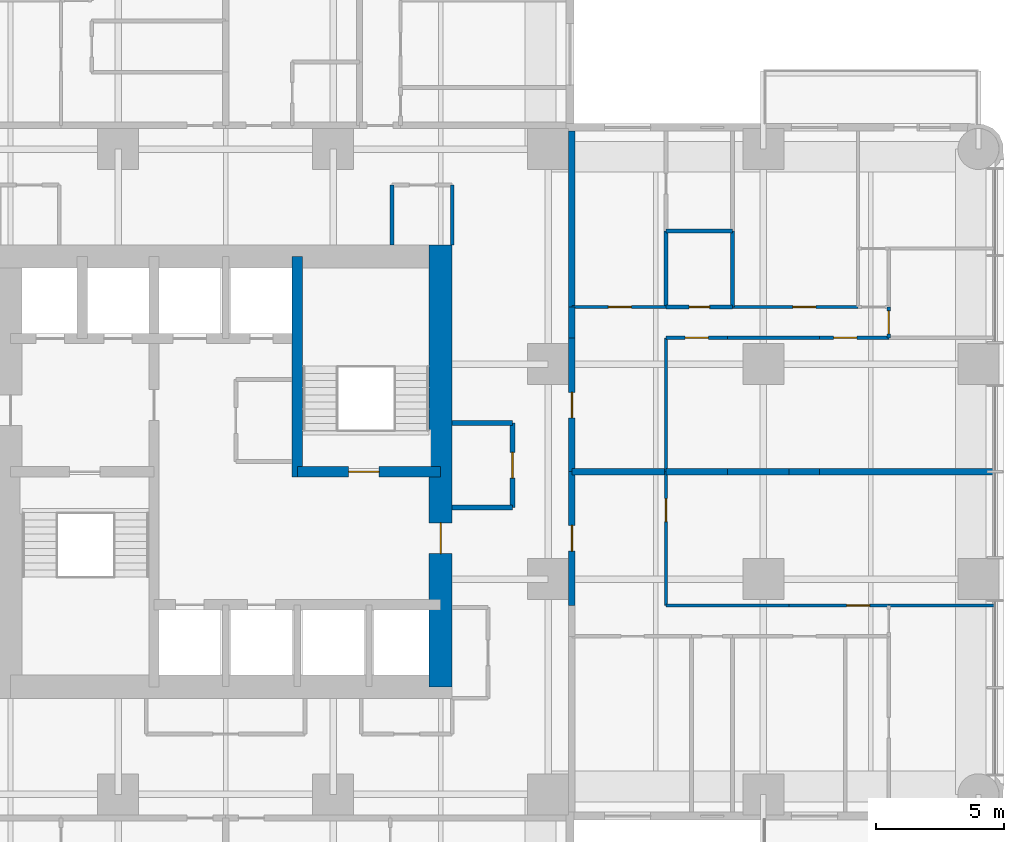
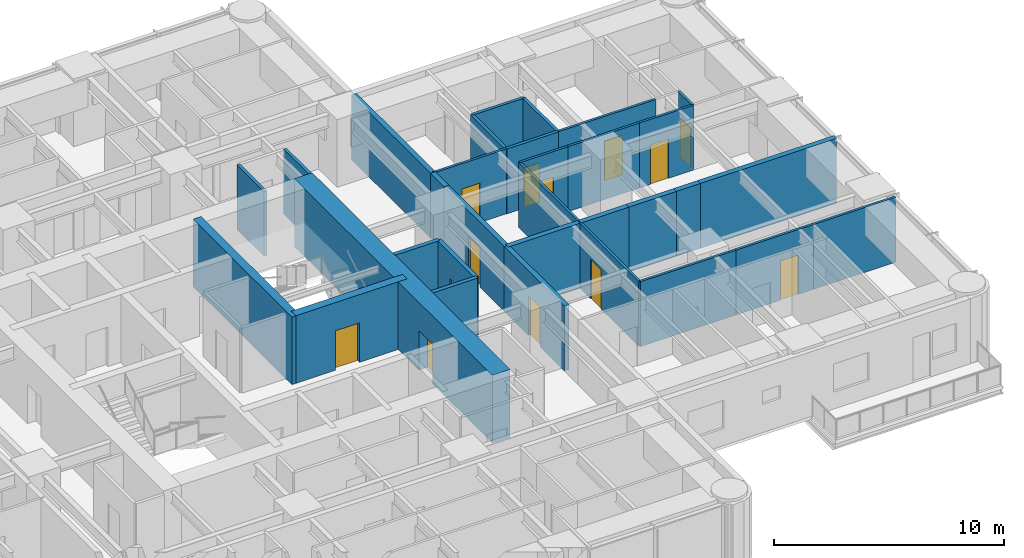
# One storey, part 10 of 15: 32 walls, 13 doors, 13 openings.
"""IFC4 building model written with IfcOpenShell, lengths in metres."""

import ifcopenshell
import ifcopenshell.guid

model = None  # the IFC model being written
_history = None  # IfcOwnerHistory: only IFC2X3 demands one
_inside = {}  # id of a spatial element -> (the spatial element, [elements in it])
_under = {}  # id of a project, library or spatial element -> (it, [spatial elements below it])
_declared = {}  # id of a project -> (the project, [libraries it declares])
_typed = {}  # id of a type object -> (the type object, [elements of that type])
_made_of = {}  # id of a material, layer set ... -> (it, [elements and type objects made of it])


def new_model(schema):
    """Start an empty IFC model of exactly this schema.

    Asked for "IFC4X3", IfcOpenShell would pick the latest addendum, in which some entities
    have other attributes; the version numbers below select the first issue.
    IFC2X3 requires an IfcOwnerHistory on every rooted entity: one is made here for all.
    """
    global model, _history
    if schema == "IFC4X3":
        model = ifcopenshell.file(schema_version=(4, 3, 0, 0))
    else:
        model = ifcopenshell.file(schema=schema)
    _inside.clear()
    _under.clear()
    _declared.clear()
    _typed.clear()
    _made_of.clear()
    _history = None
    if model.schema == "IFC2X3":
        org = make("IfcOrganization", Name="unknown")
        user = make(
            "IfcPersonAndOrganization",
            ThePerson=make("IfcPerson", FamilyName="unknown"),
            TheOrganization=org,
        )
        app = make(
            "IfcApplication",
            ApplicationDeveloper=org,
            Version="unknown",
            ApplicationFullName="unknown",
            ApplicationIdentifier="unknown",
        )
        _history = make(
            "IfcOwnerHistory",
            OwningUser=user,
            OwningApplication=app,
            ChangeAction="ADDED",
            CreationDate=0,
        )
    return model


def make(cls, **values):
    """One entity of the class cls with the attributes given. An attribute that is None is left unset."""
    return model.create_entity(
        cls, **{name: value for name, value in values.items() if value is not None}
    )


def rooted(cls, **values):
    """An entity with a GlobalId (a new one), such as an element, a storey or a relation."""
    return make(cls, GlobalId=ifcopenshell.guid.new(), OwnerHistory=_history, **values)


def si_unit(unit_type, name, prefix=None):
    """IfcSIUnit, for example si_unit("LENGTHUNIT", "METRE", prefix="MILLI")."""
    return make("IfcSIUnit", UnitType=unit_type, Prefix=prefix, Name=name)


def assignment(units):
    """IfcUnitAssignment: the units of a project."""
    return None if units is None else make("IfcUnitAssignment", Units=units)


def point(xyz):
    """IfcCartesianPoint."""
    return None if xyz is None else make("IfcCartesianPoint", Coordinates=xyz)


def direction(xyz):
    """IfcDirection."""
    return None if xyz is None else make("IfcDirection", DirectionRatios=xyz)


def frame(location, z_axis=None, x_axis=None):
    """IfcAxis2Placement3D, a coordinate frame: its origin and axes. An axis left out is left unset."""
    return make(
        "IfcAxis2Placement3D",
        Location=point(location),
        Axis=direction(z_axis),
        RefDirection=direction(x_axis),
    )


def frame_2d(location, x_axis=None):
    """IfcAxis2Placement2D, a coordinate frame in the plane: its origin and x axis."""
    return make(
        "IfcAxis2Placement2D", Location=point(location), RefDirection=direction(x_axis)
    )


def origin():
    """The frame at (0, 0, 0) with its axes left unset."""
    return frame((0.0, 0.0, 0.0))


def place(relative_to, where):
    """IfcLocalPlacement: puts the frame where relative to a parent placement (None: the world)."""
    return make(
        "IfcLocalPlacement", PlacementRelTo=relative_to, RelativePlacement=where
    )


def context(
    kind, dimensions, precision=None, world=None, true_north=None, identifier=None
):
    """IfcGeometricRepresentationContext, for example the 3D "Model" context."""
    return make(
        "IfcGeometricRepresentationContext",
        ContextIdentifier=identifier,
        ContextType=kind,
        CoordinateSpaceDimension=dimensions,
        Precision=precision,
        WorldCoordinateSystem=world,
        TrueNorth=true_north,
    )


def subcontext(parent, identifier, kind, view, scale=None):
    """IfcGeometricRepresentationSubContext, for example "Body" below "Model"."""
    return make(
        "IfcGeometricRepresentationSubContext",
        ContextIdentifier=identifier,
        ContextType=kind,
        ParentContext=parent,
        TargetScale=scale,
        TargetView=view,
    )


def project(units=None, contexts=None):
    """IfcProject with its units and contexts."""
    return rooted(
        "IfcProject",
        Name="project",
        RepresentationContexts=contexts,
        UnitsInContext=assignment(units),
    )


def spatial(cls, under=None, at=None, **own):
    """A site, building, storey or space (cls), placed at a placement, below another one or the project."""
    s = rooted(cls, ObjectPlacement=at, **own)
    if under is not None:
        _under.setdefault(under.id(), (under, []))[1].append(s)
    return s


def profile(cls, at=None, kind="AREA", **sizes):
    """A parametric profile (cls). Its sizes go by their IFC names, for example OverallWidth=200.0."""
    return make(cls, ProfileType=kind, Position=at, **sizes)


def rectangle(**sizes):
    """IfcRectangleProfileDef."""
    return profile("IfcRectangleProfileDef", **sizes)


def extrude(swept, where, along, depth):
    """IfcExtrudedAreaSolid: the profile swept, set in the frame where, extruded along a direction by depth."""
    return make(
        "IfcExtrudedAreaSolid",
        SweptArea=swept,
        Position=where,
        ExtrudedDirection=direction(along),
        Depth=depth,
    )


def shape(context_of_items, identifier, shape_type, items):
    """IfcShapeRepresentation: the items that make up one representation, for example the "Body"."""
    return make(
        "IfcShapeRepresentation",
        ContextOfItems=context_of_items,
        RepresentationIdentifier=identifier,
        RepresentationType=shape_type,
        Items=items,
    )


def material(Name=None, Category=None):
    """IfcMaterial."""
    return make("IfcMaterial", Name=Name, Category=Category)


def layer(
    of_material, thickness, ventilated=None, Name=None, Category=None, Priority=None
):
    """IfcMaterialLayer: one layer of a wall or slab, of a material (None: an air gap)."""
    return make(
        "IfcMaterialLayer",
        Material=of_material,
        LayerThickness=thickness,
        IsVentilated=ventilated,
        Name=Name,
        Category=Category,
        Priority=Priority,
    )


def layer_set(layers, Name=None):
    """IfcMaterialLayerSet."""
    return make("IfcMaterialLayerSet", MaterialLayers=layers, LayerSetName=Name)


def made_of(thing, what):
    """Note that an element or type object is made of a material, layer set ...; save() writes the relation."""
    if what is not None:
        _made_of.setdefault(what.id(), (what, []))[1].append(thing)
    return thing


def type_object(cls, material=None, **own):
    """A type object (cls), such as IfcWallType, which elements share."""
    return made_of(rooted(cls, **own), material)


def element(
    cls,
    number,
    at=None,
    inside=None,
    cuts=None,
    type_object=None,
    material=None,
    context=None,
    identifier="Body",
    shape_type=None,
    held_by="IfcProductDefinitionShape",
    body=None,
    shapes=None,
    **own,
):
    """One element of the class cls, such as IfcWall. Its Tag is "e" and its number.

    at: its placement. inside: the storey or other place that contains it. cuts: it is an
    opening in that element (IfcRelVoidsElement). A single representation is given by context,
    identifier, shape_type and body (its items); several are given by shapes. held_by: the class
    of the entity that holds the representations. save() writes the other relations.
    """
    e = rooted(cls, Tag="e%d" % number, ObjectPlacement=at, **own)
    if body is not None:
        shapes = [shape(context, identifier, shape_type, body)]
    if shapes is not None:
        e.Representation = make(held_by, Representations=shapes)
    if inside is not None:
        _inside.setdefault(inside.id(), (inside, []))[1].append(e)
    if cuts is not None:
        rooted(
            "IfcRelVoidsElement", RelatingBuildingElement=cuts, RelatedOpeningElement=e
        )
    if type_object is not None:
        _typed.setdefault(type_object.id(), (type_object, []))[1].append(e)
    return made_of(e, material)


def fill(opening, filler):
    """IfcRelFillsElement: the door or window that sits in an opening."""
    return rooted(
        "IfcRelFillsElement",
        RelatingOpeningElement=opening,
        RelatedBuildingElement=filler,
    )


def aggregate(whole, parts):
    """IfcRelAggregates: a whole, such as a stair, and the parts it consists of."""
    return rooted("IfcRelAggregates", RelatingObject=whole, RelatedObjects=parts)


def save(model, path):
    """Write the relations noted so far, then the file.

    IfcRelAggregates (storeys below a building ...), IfcRelContainedInSpatialStructure (elements
    in a storey), IfcRelDefinesByType, IfcRelAssociatesMaterial and IfcRelDeclares: one each for
    every whole, place, type object, material and project.
    """
    for whole, parts in _under.values():
        aggregate(whole, parts)
    for where, things in _inside.values():
        rooted(
            "IfcRelContainedInSpatialStructure",
            RelatedElements=things,
            RelatingStructure=where,
        )
    for kind, things in _typed.values():
        rooted("IfcRelDefinesByType", RelatedObjects=things, RelatingType=kind)
    for what, things in _made_of.values():
        rooted("IfcRelAssociatesMaterial", RelatedObjects=things, RelatingMaterial=what)
    for by, libraries in _declared.values():
        rooted("IfcRelDeclares", RelatingContext=by, RelatedDefinitions=libraries)
    model.write(path)


model = new_model("IFC4")

# Units and contexts
model_context = context("Model", 3, precision=1e-05, world=origin(), true_north=direction((0.0, 1.0)))
body_context = subcontext(model_context, "Body", "Model", "MODEL_VIEW")
ifc_project = project(units=[si_unit("LENGTHUNIT", "METRE"), si_unit("AREAUNIT", "SQUARE_METRE"), si_unit("VOLUMEUNIT", "CUBIC_METRE"), si_unit("PLANEANGLEUNIT", "RADIAN"), si_unit("MASSUNIT", "GRAM", prefix="KILO")], contexts=[model_context])

# Site, building, storey
site_placement = place(None, origin())
site = spatial("IfcSite", under=ifc_project, at=site_placement, CompositionType="ELEMENT")
building_placement = place(site_placement, origin())
building = spatial("IfcBuilding", under=site, at=building_placement, Name="Torre Alcanfor", CompositionType="ELEMENT")
storey_placement = place(building_placement, frame((0.0, 0.0, 144.89990234375)))
storey = spatial("IfcBuildingStorey", under=building, at=storey_placement, Name="L37", CompositionType="ELEMENT", Elevation=144.89990234375)

# Wall, opening, door
ifc_material_1 = material(Name="Concrete block masonry, hollow blocks NMX-C-404 9 MPa", Category="masonry")
ifc_layer_1 = layer(ifc_material_1, 0.25)
ifc_layer_set_1 = layer_set([ifc_layer_1], Name="Apartment entrance wall 250 EI 60")
wall_type_1 = type_object("IfcWallType", Name="Apartment entrance wall 250 EI 60", PredefinedType="PARTITIONING", material=ifc_layer_set_1)
wall_1_placement = place(storey_placement, frame((42.925048828125, 34.62890625, 0.0), z_axis=(0.0, 0.0, 1.0), x_axis=(0.0, -1.0, 0.0)))
wall_1 = element("IfcWall", 1, at=wall_1_placement, inside=storey, type_object=wall_type_1, Name="Partition L37-CORR / L37-E1-ZAG", PredefinedType="PARTITIONING", context=body_context, shape_type="SweptSolid", body=[
    extrude(rectangle(XDim=5.22900390625, YDim=0.25, at=frame_2d((2.614501953125, 0.0))), origin(), (0.0, 0.0, 1.0), 3.4501953125),
])
opening_1_placement = place(wall_1_placement, frame((2.12890625, 0.0, 0.0)))
opening_1 = element("IfcOpeningElement", 2, at=opening_1_placement, cuts=wall_1, Name="Opening D-A1", PredefinedType="OPENING", context=body_context, shape_type="SweptSolid", body=[
    extrude(rectangle(XDim=1.0, YDim=2.10009765625, at=frame_2d((0.5, 1.050048828125))), frame((0.0, 0.135009765625, 0.0), z_axis=(0.0, -1.0, 0.0), x_axis=(1.0, 0.0, 0.0)), (0.0, 0.0, 1.0), 0.27001953125),
])
ifc_material_2 = material(Name="Galvanised steel sheet ASTM A653", Category="steel")
door_type_1 = type_object("IfcDoorType", Name="Apartment entrance door FD60 1000x2100", OperationType="SINGLE_SWING_LEFT", PredefinedType="DOOR", material=ifc_material_2)
door_1_placement = place(opening_1_placement, origin())
door_1 = element("IfcDoor", 3, at=door_1_placement, inside=storey, type_object=door_type_1, Name="Apartment entrance L37-E1", OperationType="SINGLE_SWING_RIGHT", OverallHeight=2.10009765625, OverallWidth=1.0, PredefinedType="DOOR", context=body_context, shape_type="SweptSolid", body=[
    extrude(rectangle(XDim=1.0, YDim=2.10009765625, at=frame_2d((0.5, 1.050048828125))), frame((0.0, 0.02490234375, 0.0), z_axis=(0.0, -1.0, 0.0), x_axis=(1.0, 0.0, 0.0)), (0.0, 0.0, 1.0), 0.050048828125),
])
fill(opening_1, door_1)

# Walls
wall_2_placement = place(storey_placement, frame((42.925048828125, 35.8291015625, 0.0), z_axis=(0.0, 0.0, 1.0), x_axis=(0.0, -1.0, 0.0)))
element("IfcWall", 4, at=wall_2_placement, inside=storey, type_object=wall_type_1, Name="Partition L37-CORR / L37-E1-HALL", PredefinedType="PARTITIONING", context=body_context, shape_type="SweptSolid", body=[
    extrude(rectangle(XDim=1.2001953125, YDim=0.25, at=frame_2d((0.60009765625, 0.0))), origin(), (0.0, 0.0, 1.0), 3.4501953125),
])
wall_3_placement = place(storey_placement, frame((42.925048828125, 42.699951171875, 0.0), z_axis=(0.0, 0.0, 1.0), x_axis=(0.0, -1.0, 0.0)))
element("IfcWall", 5, at=wall_3_placement, inside=storey, type_object=wall_type_1, Name="Partition L37-CORR / L37-E1-SERV", PredefinedType="PARTITIONING", context=body_context, shape_type="SweptSolid", body=[
    extrude(rectangle(XDim=6.870849609375, YDim=0.25, at=frame_2d((3.435546875, 0.0))), origin(), (0.0, 0.0, 1.0), 3.4501953125),
])

# Wall, opening, door
wall_4_placement = place(storey_placement, frame((42.925048828125, 29.39990234375, 0.0), z_axis=(0.0, 0.0, 1.0), x_axis=(0.0, -1.0, 0.0)))
wall_4 = element("IfcWall", 6, at=wall_4_placement, inside=storey, type_object=wall_type_1, Name="Partition L37-CORR / L37-E2-ZAG", PredefinedType="PARTITIONING", context=body_context, shape_type="SweptSolid", body=[
    extrude(rectangle(XDim=5.22900390625, YDim=0.25, at=frame_2d((2.614501953125, 0.0))), origin(), (0.0, 0.0, 1.0), 3.4501953125),
])
opening_2_placement = place(wall_4_placement, frame((2.10009765625, 0.0, 0.0)))
opening_2 = element("IfcOpeningElement", 7, at=opening_2_placement, cuts=wall_4, Name="Opening D-A1", PredefinedType="OPENING", context=body_context, shape_type="SweptSolid", body=[
    extrude(rectangle(XDim=1.0, YDim=2.10009765625, at=frame_2d((0.5, 1.050048828125))), frame((0.0, 0.135009765625, 0.0), z_axis=(0.0, -1.0, 0.0), x_axis=(1.0, 0.0, 0.0)), (0.0, 0.0, 1.0), 0.27001953125),
])
door_2_placement = place(opening_2_placement, origin())
door_2 = element("IfcDoor", 8, at=door_2_placement, inside=storey, type_object=door_type_1, Name="Apartment entrance L37-E2", OperationType="SINGLE_SWING_LEFT", OverallHeight=2.10009765625, OverallWidth=1.0, PredefinedType="DOOR", context=body_context, shape_type="SweptSolid", body=[
    extrude(rectangle(XDim=1.0, YDim=2.10009765625, at=frame_2d((0.5, 1.050048828125))), frame((0.0, 0.02490234375, 0.0), z_axis=(0.0, -1.0, 0.0), x_axis=(1.0, 0.0, 0.0)), (0.0, 0.0, 1.0), 0.050048828125),
])
fill(opening_2, door_2)

# Wall
ifc_material_3 = material(Name="Gypsum board on steel studs", Category="steel")
ifc_layer_2 = layer(ifc_material_3, 0.1201171875)
ifc_layer_set_2 = layer_set([ifc_layer_2], Name="Apartment partition 120")
wall_type_2 = type_object("IfcWallType", Name="Apartment partition 120", PredefinedType="PARTITIONING", material=ifc_layer_set_2)
wall_5_placement = place(storey_placement, frame((46.60009765625, 29.39990234375, 0.0), z_axis=(0.0, 0.0, 1.0), x_axis=(0.0, 1.0, 0.0)))
element("IfcWall", 9, at=wall_5_placement, inside=storey, type_object=wall_type_2, Name="Partition L37-E1-ZAG / L37-E1-LAUND", PredefinedType="PARTITIONING", context=body_context, shape_type="SweptSolid", body=[
    extrude(rectangle(XDim=5.22900390625, YDim=0.1201171875, at=frame_2d((2.614501953125, 0.0))), origin(), (0.0, 0.0, 1.0), 3.4501953125),
])

# Wall, opening, door
wall_6_placement = place(storey_placement, frame((49.0, 34.62890625, 0.0), z_axis=(0.0, 0.0, 1.0), x_axis=(-1.0, 0.0, 0.0)))
wall_6 = element("IfcWall", 10, at=wall_6_placement, inside=storey, type_object=wall_type_2, Name="Partition L37-E1-LAUND / L37-E1-HALL", PredefinedType="PARTITIONING", context=body_context, shape_type="SweptSolid", body=[
    extrude(rectangle(XDim=2.39990234375, YDim=0.1201171875, at=frame_2d((1.199951171875, 0.0))), origin(), (0.0, 0.0, 1.0), 3.4501953125),
])
opening_3_placement = place(wall_6_placement, frame((0.75, 0.0, 0.0)))
opening_3 = element("IfcOpeningElement", 11, at=opening_3_placement, cuts=wall_6, Name="Opening D-R1", PredefinedType="OPENING", context=body_context, shape_type="SweptSolid", body=[
    extrude(rectangle(XDim=0.89990234375, YDim=2.10009765625, at=frame_2d((0.449951171875, 1.050048828125))), frame((0.0, 0.070068359375, 0.0), z_axis=(0.0, -1.0, 0.0), x_axis=(1.0, 0.0, 0.0)), (0.0, 0.0, 1.0), 0.14013671875),
])
ifc_material_4 = material(Name="Timber", Category="wood")
door_type_2 = type_object("IfcDoorType", Name="Internal door 900x2100", OperationType="SINGLE_SWING_LEFT", PredefinedType="DOOR", material=ifc_material_4)
door_3_placement = place(opening_3_placement, origin())
door_3 = element("IfcDoor", 12, at=door_3_placement, inside=storey, type_object=door_type_2, Name="Door L37-E1 laund", OperationType="SINGLE_SWING_LEFT", OverallHeight=2.10009765625, OverallWidth=0.89990234375, PredefinedType="DOOR", context=body_context, shape_type="SweptSolid", body=[
    extrude(rectangle(XDim=0.89990234375, YDim=2.10009765625, at=frame_2d((0.449951171875, 1.050048828125))), frame((0.0, 0.02490234375, 0.0), z_axis=(0.0, -1.0, 0.0), x_axis=(1.0, 0.0, 0.0)), (0.0, 0.0, 1.0), 0.050048828125),
])
fill(opening_3, door_3)

# Wall
wall_7_placement = place(storey_placement, frame((52.60009765625, 34.62890625, 0.0), z_axis=(0.0, 0.0, 1.0), x_axis=(-1.0, 0.0, 0.0)))
element("IfcWall", 13, at=wall_7_placement, inside=storey, type_object=wall_type_2, Name="Partition L37-E1-KITCHEN / L37-E1-HALL", PredefinedType="PARTITIONING", context=body_context, shape_type="SweptSolid", body=[
    extrude(rectangle(XDim=3.60009765625, YDim=0.1201171875, at=frame_2d((1.800048828125, 0.0))), origin(), (0.0, 0.0, 1.0), 3.4501953125),
])

# Wall, opening, door
wall_8_placement = place(storey_placement, frame((55.300048828125, 34.62890625, 0.0), z_axis=(0.0, 0.0, 1.0), x_axis=(-1.0, 0.0, 0.0)))
wall_8 = element("IfcWall", 14, at=wall_8_placement, inside=storey, type_object=wall_type_2, Name="Partition L37-E1-LIVING / L37-E1-HALL", PredefinedType="PARTITIONING", context=body_context, shape_type="SweptSolid", body=[
    extrude(rectangle(XDim=2.699951171875, YDim=0.1201171875, at=frame_2d((1.35009765625, 0.0))), origin(), (0.0, 0.0, 1.0), 3.4501953125),
])
opening_4_placement = place(wall_8_placement, frame((1.25, 0.0, 0.0)))
opening_4 = element("IfcOpeningElement", 15, at=opening_4_placement, cuts=wall_8, Name="Opening D-R1", PredefinedType="OPENING", context=body_context, shape_type="SweptSolid", body=[
    extrude(rectangle(XDim=0.89990234375, YDim=2.10009765625, at=frame_2d((0.449951171875, 1.050048828125))), frame((0.0, 0.070068359375, 0.0), z_axis=(0.0, -1.0, 0.0), x_axis=(1.0, 0.0, 0.0)), (0.0, 0.0, 1.0), 0.14013671875),
])
door_4_placement = place(opening_4_placement, origin())
door_4 = element("IfcDoor", 16, at=door_4_placement, inside=storey, type_object=door_type_2, Name="Door L37-E1 living", OperationType="SINGLE_SWING_RIGHT", OverallHeight=2.10009765625, OverallWidth=0.89990234375, PredefinedType="DOOR", context=body_context, shape_type="SweptSolid", body=[
    extrude(rectangle(XDim=0.89990234375, YDim=2.10009765625, at=frame_2d((0.449951171875, 1.050048828125))), frame((0.0, 0.02490234375, 0.0), z_axis=(0.0, -1.0, 0.0), x_axis=(1.0, 0.0, 0.0)), (0.0, 0.0, 1.0), 0.050048828125),
])
fill(opening_4, door_4)

wall_9_placement = place(storey_placement, frame((46.60009765625, 35.8291015625, 0.0), z_axis=(0.0, 0.0, 1.0), x_axis=(-1.0, 0.0, 0.0)))
wall_9 = element("IfcWall", 17, at=wall_9_placement, inside=storey, type_object=wall_type_2, Name="Partition L37-E1-HALL / L37-E1-SERV", PredefinedType="PARTITIONING", context=body_context, shape_type="SweptSolid", body=[
    extrude(rectangle(XDim=3.675048828125, YDim=0.1201171875, at=frame_2d((1.83740234375, 0.0))), origin(), (0.0, 0.0, 1.0), 3.4501953125),
])
opening_5_placement = place(wall_9_placement, frame((1.35009765625, 0.0, 0.0)))
opening_5 = element("IfcOpeningElement", 18, at=opening_5_placement, cuts=wall_9, Name="Opening D-R1", PredefinedType="OPENING", context=body_context, shape_type="SweptSolid", body=[
    extrude(rectangle(XDim=0.89990234375, YDim=2.10009765625, at=frame_2d((0.449951171875, 1.050048828125))), frame((0.0, 0.070068359375, 0.0), z_axis=(0.0, -1.0, 0.0), x_axis=(1.0, 0.0, 0.0)), (0.0, 0.0, 1.0), 0.14013671875),
])
door_5_placement = place(opening_5_placement, frame((0.89990234375, 0.0, 0.0), z_axis=(0.0, 0.0, 1.0), x_axis=(-1.0, 0.0, 0.0)))
door_5 = element("IfcDoor", 19, at=door_5_placement, inside=storey, type_object=door_type_2, Name="Door L37-E1 serv", OperationType="SINGLE_SWING_RIGHT", OverallHeight=2.10009765625, OverallWidth=0.89990234375, PredefinedType="DOOR", context=body_context, shape_type="SweptSolid", body=[
    extrude(rectangle(XDim=0.89990234375, YDim=2.10009765625, at=frame_2d((0.449951171875, 1.050048828125))), frame((0.0, 0.025146484375, 0.0), z_axis=(0.0, -1.0, 0.0), x_axis=(1.0, 0.0, 0.0)), (0.0, 0.0, 1.0), 0.050048828125),
])
fill(opening_5, door_5)

wall_10_placement = place(storey_placement, frame((54.10009765625, 35.8291015625, 0.0), z_axis=(0.0, 0.0, 1.0), x_axis=(-1.0, 0.0, 0.0)))
wall_10 = element("IfcWall", 20, at=wall_10_placement, inside=storey, type_object=wall_type_2, Name="Partition L37-E1-HALL / L37-E1-BED3", PredefinedType="PARTITIONING", context=body_context, shape_type="SweptSolid", body=[
    extrude(rectangle(XDim=4.900146484375, YDim=0.1201171875, at=frame_2d((2.4501953125, 0.0))), origin(), (0.0, 0.0, 1.0), 3.4501953125),
])
opening_6_placement = place(wall_10_placement, frame((1.64990234375, 0.0, 0.0)))
opening_6 = element("IfcOpeningElement", 21, at=opening_6_placement, cuts=wall_10, Name="Opening D-R1", PredefinedType="OPENING", context=body_context, shape_type="SweptSolid", body=[
    extrude(rectangle(XDim=0.89990234375, YDim=2.10009765625, at=frame_2d((0.449951171875, 1.050048828125))), frame((0.0, 0.070068359375, 0.0), z_axis=(0.0, -1.0, 0.0), x_axis=(1.0, 0.0, 0.0)), (0.0, 0.0, 1.0), 0.14013671875),
])
door_6_placement = place(opening_6_placement, frame((0.89990234375, 0.0, 0.0), z_axis=(0.0, 0.0, 1.0), x_axis=(-1.0, 0.0, 0.0)))
door_6 = element("IfcDoor", 22, at=door_6_placement, inside=storey, type_object=door_type_2, Name="Door L37-E1 bed3", OperationType="SINGLE_SWING_RIGHT", OverallHeight=2.10009765625, OverallWidth=0.89990234375, PredefinedType="DOOR", context=body_context, shape_type="SweptSolid", body=[
    extrude(rectangle(XDim=0.89990234375, YDim=2.10009765625, at=frame_2d((0.449951171875, 1.050048828125))), frame((0.0, 0.025146484375, 0.0), z_axis=(0.0, -1.0, 0.0), x_axis=(1.0, 0.0, 0.0)), (0.0, 0.0, 1.0), 0.050048828125),
])
fill(opening_6, door_6)

wall_11_placement = place(storey_placement, frame((55.300048828125, 34.62890625, 0.0), z_axis=(0.0, 0.0, 1.0), x_axis=(0.0, 1.0, 0.0)))
wall_11 = element("IfcWall", 23, at=wall_11_placement, inside=storey, type_object=wall_type_2, Name="Partition L37-E1-HALL / L37-E1-BED2", PredefinedType="PARTITIONING", context=body_context, shape_type="SweptSolid", body=[
    extrude(rectangle(XDim=1.2001953125, YDim=0.1201171875, at=frame_2d((0.60009765625, 0.0))), origin(), (0.0, 0.0, 1.0), 3.4501953125),
])
opening_7_placement = place(wall_11_placement, frame((0.15087890625, 0.0, 0.0)))
opening_7 = element("IfcOpeningElement", 24, at=opening_7_placement, cuts=wall_11, Name="Opening D-R1", PredefinedType="OPENING", context=body_context, shape_type="SweptSolid", body=[
    extrude(rectangle(XDim=0.89990234375, YDim=2.10009765625, at=frame_2d((0.449951171875, 1.050048828125))), frame((0.0, 0.070068359375, 0.0), z_axis=(0.0, -1.0, 0.0), x_axis=(1.0, 0.0, 0.0)), (0.0, 0.0, 1.0), 0.14013671875),
])
door_7_placement = place(opening_7_placement, frame((0.89990234375, 0.0, 0.0), z_axis=(0.0, 0.0, 1.0), x_axis=(-1.0, 0.0, 0.0)))
door_7 = element("IfcDoor", 25, at=door_7_placement, inside=storey, type_object=door_type_2, Name="Door L37-E1 bed2", OperationType="SINGLE_SWING_RIGHT", OverallHeight=2.10009765625, OverallWidth=0.89990234375, PredefinedType="DOOR", context=body_context, shape_type="SweptSolid", body=[
    extrude(rectangle(XDim=0.89990234375, YDim=2.10009765625, at=frame_2d((0.449951171875, 1.050048828125))), frame((0.0, 0.025146484375, 0.0), z_axis=(0.0, -1.0, 0.0), x_axis=(1.0, 0.0, 0.0)), (0.0, 0.0, 1.0), 0.050048828125),
])
fill(opening_7, door_7)

wall_12_placement = place(storey_placement, frame((46.60009765625, 29.39990234375, 0.0), z_axis=(0.0, 0.0, 1.0), x_axis=(0.0, -1.0, 0.0)))
wall_12 = element("IfcWall", 26, at=wall_12_placement, inside=storey, type_object=wall_type_2, Name="Partition L37-E2-ZAG / L37-E2-KITCHEN", PredefinedType="PARTITIONING", context=body_context, shape_type="SweptSolid", body=[
    extrude(rectangle(XDim=5.22900390625, YDim=0.1201171875, at=frame_2d((2.614501953125, 0.0))), origin(), (0.0, 0.0, 1.0), 3.4501953125),
])
opening_8_placement = place(wall_12_placement, frame((1.050048828125, 0.0, 0.0)))
opening_8 = element("IfcOpeningElement", 27, at=opening_8_placement, cuts=wall_12, Name="Opening D-R1", PredefinedType="OPENING", context=body_context, shape_type="SweptSolid", body=[
    extrude(rectangle(XDim=0.89990234375, YDim=2.10009765625, at=frame_2d((0.449951171875, 1.050048828125))), frame((0.0, 0.070068359375, 0.0), z_axis=(0.0, -1.0, 0.0), x_axis=(1.0, 0.0, 0.0)), (0.0, 0.0, 1.0), 0.14013671875),
])
door_8_placement = place(opening_8_placement, origin())
door_8 = element("IfcDoor", 28, at=door_8_placement, inside=storey, type_object=door_type_2, Name="Door L37-E2 kitchen", OperationType="SINGLE_SWING_LEFT", OverallHeight=2.10009765625, OverallWidth=0.89990234375, PredefinedType="DOOR", context=body_context, shape_type="SweptSolid", body=[
    extrude(rectangle(XDim=0.89990234375, YDim=2.10009765625, at=frame_2d((0.449951171875, 1.050048828125))), frame((0.0, 0.02490234375, 0.0), z_axis=(0.0, -1.0, 0.0), x_axis=(1.0, 0.0, 0.0)), (0.0, 0.0, 1.0), 0.050048828125),
])
fill(opening_8, door_8)

# Wall
wall_13_placement = place(storey_placement, frame((51.39990234375, 24.1708984375, 0.0), z_axis=(0.0, 0.0, 1.0), x_axis=(-1.0, 0.0, 0.0)))
element("IfcWall", 29, at=wall_13_placement, inside=storey, type_object=wall_type_2, Name="Partition L37-E2-KITCHEN / L37-E2-HALL", PredefinedType="PARTITIONING", context=body_context, shape_type="SweptSolid", body=[
    extrude(rectangle(XDim=4.7998046875, YDim=0.1201171875, at=frame_2d((2.39990234375, 0.0))), origin(), (0.0, 0.0, 1.0), 3.4501953125),
])

# Wall, opening, door
wall_14_placement = place(storey_placement, frame((55.300048828125, 24.1708984375, 0.0), z_axis=(0.0, 0.0, 1.0), x_axis=(-1.0, 0.0, 0.0)))
wall_14 = element("IfcWall", 30, at=wall_14_placement, inside=storey, type_object=wall_type_2, Name="Partition L37-E2-LIVING / L37-E2-HALL", PredefinedType="PARTITIONING", context=body_context, shape_type="SweptSolid", body=[
    extrude(rectangle(XDim=3.900146484375, YDim=0.1201171875, at=frame_2d((1.9501953125, 0.0))), origin(), (0.0, 0.0, 1.0), 3.4501953125),
])
opening_9_placement = place(wall_14_placement, frame((0.75, 0.0, 0.0)))
opening_9 = element("IfcOpeningElement", 31, at=opening_9_placement, cuts=wall_14, Name="Opening D-R1", PredefinedType="OPENING", context=body_context, shape_type="SweptSolid", body=[
    extrude(rectangle(XDim=0.89990234375, YDim=2.10009765625, at=frame_2d((0.449951171875, 1.050048828125))), frame((0.0, 0.070068359375, 0.0), z_axis=(0.0, -1.0, 0.0), x_axis=(1.0, 0.0, 0.0)), (0.0, 0.0, 1.0), 0.14013671875),
])
door_9_placement = place(opening_9_placement, frame((0.89990234375, 0.0, 0.0), z_axis=(0.0, 0.0, 1.0), x_axis=(-1.0, 0.0, 0.0)))
door_9 = element("IfcDoor", 32, at=door_9_placement, inside=storey, type_object=door_type_2, Name="Door L37-E2 living", OperationType="SINGLE_SWING_LEFT", OverallHeight=2.10009765625, OverallWidth=0.89990234375, PredefinedType="DOOR", context=body_context, shape_type="SweptSolid", body=[
    extrude(rectangle(XDim=0.89990234375, YDim=2.10009765625, at=frame_2d((0.449951171875, 1.050048828125))), frame((0.0, 0.025146484375, 0.0), z_axis=(0.0, -1.0, 0.0), x_axis=(1.0, 0.0, 0.0)), (0.0, 0.0, 1.0), 0.050048828125),
])
fill(opening_9, door_9)

# Walls
wall_15_placement = place(storey_placement, frame((59.449951171875, 24.1708984375, 0.0), z_axis=(0.0, 0.0, 1.0), x_axis=(-1.0, 0.0, 0.0)))
element("IfcWall", 33, at=wall_15_placement, inside=storey, type_object=wall_type_2, Name="Partition L37-E2-LIVING / L37-E2-MASTER", PredefinedType="PARTITIONING", context=body_context, shape_type="SweptSolid", body=[
    extrude(rectangle(XDim=4.14990234375, YDim=0.1201171875, at=frame_2d((2.074951171875, 0.0))), origin(), (0.0, 0.0, 1.0), 3.4501953125),
])
ifc_material_5 = material(Name="Concrete f'c 70 MPa", Category="concrete")
ifc_layer_3 = layer(ifc_material_5, 0.39990234375)
ifc_layer_set_3 = layer_set([ifc_layer_3], Name="Core inner wall 400 f'c70")
wall_type_3 = type_object("IfcWallType", Name="Core inner wall 400 f'c70", PredefinedType="SHEAR", material=ifc_layer_set_3)
wall_16_placement = place(storey_placement, frame((32.199951171875, 29.199951171875, 0.0), z_axis=(0.0, 0.0, 1.0), x_axis=(0.0, 1.0, 0.0)))
element("IfcWall", 34, at=wall_16_placement, inside=storey, type_object=wall_type_3, Name="Core wall X322N L37", PredefinedType="SHEAR", context=body_context, shape_type="SweptSolid", body=[
    extrude(rectangle(XDim=8.60009765625, YDim=0.39990234375, at=frame_2d((4.300048828125, 0.0))), origin(), (0.0, 0.0, 1.0), 3.60009765625),
])

# Wall, opening, door
wall_17_placement = place(storey_placement, frame((32.199951171875, 29.39990234375, 0.0), z_axis=(0.0, 0.0, 1.0), x_axis=(1.0, 0.0, 0.0)))
wall_17 = element("IfcWall", 35, at=wall_17_placement, inside=storey, type_object=wall_type_3, Name="Core wall Y294E L37", PredefinedType="SHEAR", context=body_context, shape_type="SweptSolid", body=[
    extrude(rectangle(XDim=5.60009765625, YDim=0.39990234375, at=frame_2d((2.800048828125, 0.0))), origin(), (0.0, 0.0, 1.0), 3.60009765625),
])
opening_10_placement = place(wall_17_placement, frame((2.0, 0.0, 0.0)))
opening_10 = element("IfcOpeningElement", 36, at=opening_10_placement, cuts=wall_17, Name="Opening D-S2", PredefinedType="OPENING", context=body_context, shape_type="SweptSolid", body=[
    extrude(rectangle(XDim=1.199951171875, YDim=2.10009765625, at=frame_2d((0.60009765625, 1.050048828125))), frame((0.0, 0.2099609375, 0.0), z_axis=(0.0, -1.0, 0.0), x_axis=(1.0, 0.0, 0.0)), (0.0, 0.0, 1.0), 0.419921875),
])
ifc_material_6 = material(Name="Galvanised steel sheet ASTM A653", Category="steel")
door_type_3 = type_object("IfcDoorType", Name="Stair enclosure door FD120 1200x2100", OperationType="SINGLE_SWING_LEFT", PredefinedType="DOOR", material=ifc_material_6)
door_10_placement = place(opening_10_placement, origin())
door_10 = element("IfcDoor", 37, at=door_10_placement, inside=storey, type_object=door_type_3, Name="Stair S2 door L37", OperationType="SINGLE_SWING_LEFT", OverallHeight=2.10009765625, OverallWidth=1.199951171875, PredefinedType="DOOR", context=body_context, shape_type="SweptSolid", body=[
    extrude(rectangle(XDim=1.199951171875, YDim=2.10009765625, at=frame_2d((0.60009765625, 1.050048828125))), frame((0.0, 0.02490234375, 0.0), z_axis=(0.0, -1.0, 0.0), x_axis=(1.0, 0.0, 0.0)), (0.0, 0.0, 1.0), 0.050048828125),
])
fill(opening_10, door_10)

ifc_material_7 = material(Name="Concrete f'c 70 MPa", Category="concrete")
ifc_layer_4 = layer(ifc_material_7, 0.89990234375)
ifc_layer_set_4 = layer_set([ifc_layer_4], Name="Core wall 900 f'c70")
wall_type_4 = type_object("IfcWallType", Name="Core wall 900 f'c70", PredefinedType="SHEAR", material=ifc_layer_set_4)
wall_18_placement = place(storey_placement, frame((37.800048828125, 21.0, 0.0), z_axis=(0.0, 0.0, 1.0), x_axis=(0.0, 1.0, 0.0)))
wall_18 = element("IfcWall", 38, at=wall_18_placement, inside=storey, type_object=wall_type_4, Name="Core wall OUT-E L37", PredefinedType="SHEAR", context=body_context, shape_type="SweptSolid", body=[
    extrude(rectangle(XDim=17.25, YDim=0.89990234375, at=frame_2d((8.625, 0.0))), origin(), (0.0, 0.0, 1.0), 3.60009765625),
])
opening_11_placement = place(wall_18_placement, frame((5.199951171875, 0.0, 0.0)))
opening_11 = element("IfcOpeningElement", 39, at=opening_11_placement, cuts=wall_18, Name="Opening D-L1", PredefinedType="OPENING", context=body_context, shape_type="SweptSolid", body=[
    extrude(rectangle(XDim=1.199951171875, YDim=2.10009765625, at=frame_2d((0.60009765625, 1.050048828125))), frame((0.0, 0.4599609375, 0.0), z_axis=(0.0, -1.0, 0.0), x_axis=(1.0, 0.0, 0.0)), (0.0, 0.0, 1.0), 0.919921875),
])
ifc_material_8 = material(Name="Galvanised steel sheet ASTM A653", Category="steel")
door_type_4 = type_object("IfcDoorType", Name="Lobby door FD120 1200x2100", OperationType="SINGLE_SWING_LEFT", PredefinedType="DOOR", material=ifc_material_8)
door_11_placement = place(opening_11_placement, origin())
door_11 = element("IfcDoor", 40, at=door_11_placement, inside=storey, type_object=door_type_4, Name="Lift lobby entrance door L37", OperationType="SINGLE_SWING_LEFT", OverallHeight=2.10009765625, OverallWidth=1.199951171875, PredefinedType="DOOR", context=body_context, shape_type="SweptSolid", body=[
    extrude(rectangle(XDim=1.199951171875, YDim=2.10009765625, at=frame_2d((0.60009765625, 1.050048828125))), frame((0.0, 0.02490234375, 0.0), z_axis=(0.0, -1.0, 0.0), x_axis=(1.0, 0.0, 0.0)), (0.0, 0.0, 1.0), 0.050048828125),
])
fill(opening_11, door_11)

# Walls
ifc_material_9 = material(Name="Concrete block masonry, hollow blocks NMX-C-404 9 MPa", Category="masonry")
ifc_layer_5 = layer(ifc_material_9, 0.25)
ifc_layer_set_5 = layer_set([ifc_layer_5], Name="Party wall 250 EI 60")
wall_type_5 = type_object("IfcWallType", Name="Party wall 250 EI 60", PredefinedType="PARTITIONING", material=ifc_layer_set_5)
wall_19_placement = place(storey_placement, frame((42.925048828125, 29.39990234375, 0.0), z_axis=(0.0, 0.0, 1.0), x_axis=(1.0, 0.0, 0.0)))
element("IfcWall", 41, at=wall_19_placement, inside=storey, type_object=wall_type_5, Name="Partition L37-E1-ZAG / L37-E2-ZAG", PredefinedType="PARTITIONING", context=body_context, shape_type="SweptSolid", body=[
    extrude(rectangle(XDim=3.675048828125, YDim=0.25, at=frame_2d((1.83740234375, 0.0))), origin(), (0.0, 0.0, 1.0), 3.4501953125),
])
for number, where, z_axis, x_axis, name in (
    (42, (46.60009765625, 29.39990234375, 0.0), (0.0, 0.0, 1.0), (1.0, 0.0, 0.0), "Partition L37-E1-LAUND / L37-E2-KITCHEN"),
    (43, (49.0, 29.39990234375, 0.0), (0.0, 0.0, 1.0), (1.0, 0.0, 0.0), "Partition L37-E1-KITCHEN / L37-E2-KITCHEN"),
):
    element("IfcWall", number, at=place(storey_placement, frame(where, z_axis=z_axis, x_axis=x_axis)), inside=storey, type_object=wall_type_5, Name=name, PredefinedType="PARTITIONING", context=body_context, shape_type="SweptSolid", body=[
        extrude(rectangle(XDim=2.39990234375, YDim=0.25, at=frame_2d((1.199951171875, 0.0))), origin(), (0.0, 0.0, 1.0), 3.4501953125),
    ])
wall_20_placement = place(storey_placement, frame((51.39990234375, 29.39990234375, 0.0), z_axis=(0.0, 0.0, 1.0), x_axis=(1.0, 0.0, 0.0)))
element("IfcWall", 44, at=wall_20_placement, inside=storey, type_object=wall_type_5, Name="Partition L37-E1-KITCHEN / L37-E2-LIVING", PredefinedType="PARTITIONING", context=body_context, shape_type="SweptSolid", body=[
    extrude(rectangle(XDim=1.2001953125, YDim=0.25, at=frame_2d((0.60009765625, 0.0))), origin(), (0.0, 0.0, 1.0), 3.4501953125),
])
wall_21_placement = place(storey_placement, frame((52.60009765625, 29.39990234375, 0.0), z_axis=(0.0, 0.0, 1.0), x_axis=(1.0, 0.0, 0.0)))
element("IfcWall", 45, at=wall_21_placement, inside=storey, type_object=wall_type_5, Name="Partition L37-E1-LIVING / L37-E2-LIVING", PredefinedType="PARTITIONING", context=body_context, shape_type="SweptSolid", body=[
    extrude(rectangle(XDim=6.849853515625, YDim=0.25, at=frame_2d((3.4248046875, 0.0))), origin(), (0.0, 0.0, 1.0), 3.4501953125),
])
ifc_material_10 = material(Name="Concrete block masonry, hollow blocks NMX-C-404 9 MPa", Category="masonry")
ifc_layer_6 = layer(ifc_material_10, 0.199951171875)
ifc_layer_set_6 = layer_set([ifc_layer_6], Name="Plant room wall 200 EI 60")
wall_type_6 = type_object("IfcWallType", Name="Plant room wall 200 EI 60", PredefinedType="PARTITIONING", material=ifc_layer_set_6)
wall_22_placement = place(storey_placement, frame((38.25, 28.0, 0.0), z_axis=(0.0, 0.0, 1.0), x_axis=(1.0, 0.0, 0.0)))
element("IfcWall", 46, at=wall_22_placement, inside=storey, type_object=wall_type_6, Name="Partition L37-CORR / L37-G04", PredefinedType="PARTITIONING", context=body_context, shape_type="SweptSolid", body=[
    extrude(rectangle(XDim=2.35009765625, YDim=0.199951171875, at=frame_2d((1.175048828125, 0.0))), origin(), (0.0, 0.0, 1.0), 3.4501953125),
])

# Wall, opening, door
wall_23_placement = place(storey_placement, frame((40.60009765625, 28.0, 0.0), z_axis=(0.0, 0.0, 1.0), x_axis=(0.0, 1.0, 0.0)))
wall_23 = element("IfcWall", 47, at=wall_23_placement, inside=storey, type_object=wall_type_6, Name="Partition L37-CORR / L37-G04", PredefinedType="PARTITIONING", context=body_context, shape_type="SweptSolid", body=[
    extrude(rectangle(XDim=3.300048828125, YDim=0.199951171875, at=frame_2d((1.64990234375, 0.0))), origin(), (0.0, 0.0, 1.0), 3.4501953125),
])
opening_12_placement = place(wall_23_placement, frame((1.14990234375, 0.0, 0.0)))
opening_12 = element("IfcOpeningElement", 48, at=opening_12_placement, cuts=wall_23, Name="Opening D-K1", PredefinedType="OPENING", context=body_context, shape_type="SweptSolid", body=[
    extrude(rectangle(XDim=1.0, YDim=2.10009765625, at=frame_2d((0.5, 1.050048828125))), frame((0.0, 0.10986328125, 0.0), z_axis=(0.0, -1.0, 0.0), x_axis=(1.0, 0.0, 0.0)), (0.0, 0.0, 1.0), 0.219970703125),
])
ifc_material_11 = material(Name="Galvanised steel sheet ASTM A653", Category="steel")
door_type_5 = type_object("IfcDoorType", Name="Core room door FD60 1000x2100", OperationType="SINGLE_SWING_LEFT", PredefinedType="DOOR", material=ifc_material_11)
door_12_placement = place(opening_12_placement, origin())
door_12 = element("IfcDoor", 49, at=door_12_placement, inside=storey, type_object=door_type_5, Name="Door L37-G04 refuse and recycling store", OperationType="SINGLE_SWING_LEFT", OverallHeight=2.10009765625, OverallWidth=1.0, PredefinedType="DOOR", context=body_context, shape_type="SweptSolid", body=[
    extrude(rectangle(XDim=1.0, YDim=2.10009765625, at=frame_2d((0.5, 1.050048828125))), frame((0.0, 0.02490234375, 0.0), z_axis=(0.0, -1.0, 0.0), x_axis=(1.0, 0.0, 0.0)), (0.0, 0.0, 1.0), 0.050048828125),
])
fill(opening_12, door_12)

# Walls
wall_24_placement = place(storey_placement, frame((40.60009765625, 31.300048828125, 0.0), z_axis=(0.0, 0.0, 1.0), x_axis=(-1.0, 0.0, 0.0)))
element("IfcWall", 50, at=wall_24_placement, inside=storey, type_object=wall_type_6, Name="Partition L37-CORR / L37-G04", PredefinedType="PARTITIONING", context=body_context, shape_type="SweptSolid", body=[
    extrude(rectangle(XDim=2.35009765625, YDim=0.199951171875, at=frame_2d((1.175048828125, 0.0))), origin(), (0.0, 0.0, 1.0), 3.4501953125),
])
ifc_material_12 = material(Name="Concrete block masonry, hollow blocks NMX-C-404 9 MPa", Category="masonry")
ifc_layer_7 = layer(ifc_material_12, 0.14990234375)
ifc_layer_set_7 = layer_set([ifc_layer_7], Name="Residents' room partition 150")
wall_type_7 = type_object("IfcWallType", Name="Residents' room partition 150", PredefinedType="PARTITIONING", material=ifc_layer_set_7)
for number, where, z_axis, x_axis, name in (
    (51, (38.25, 38.25, 0.0), (0.0, 0.0, 1.0), (0.0, 1.0, 0.0), "Partition L37-CORR / L37-G02"),
    (52, (35.89990234375, 40.60009765625, 0.0), (0.0, 0.0, 1.0), (0.0, -1.0, 0.0), "Partition L37-CORR / L37-G02"),
):
    element("IfcWall", number, at=place(storey_placement, frame(where, z_axis=z_axis, x_axis=x_axis)), inside=storey, type_object=wall_type_7, Name=name, PredefinedType="PARTITIONING", context=body_context, shape_type="SweptSolid", body=[
        extrude(rectangle(XDim=2.35009765625, YDim=0.14990234375, at=frame_2d((1.175048828125, 0.0))), origin(), (0.0, 0.0, 1.0), 3.4501953125),
    ])

# Wall, opening, door
ifc_material_13 = material(Name="Cement board on steel studs", Category="steel")
ifc_layer_8 = layer(ifc_material_13, 0.14990234375)
ifc_layer_set_8 = layer_set([ifc_layer_8], Name="Wet area partition 150")
wall_type_8 = type_object("IfcWallType", Name="Wet area partition 150", PredefinedType="PARTITIONING", material=ifc_layer_set_8)
wall_25_placement = place(storey_placement, frame((49.199951171875, 35.8291015625, 0.0), z_axis=(0.0, 0.0, 1.0), x_axis=(-1.0, 0.0, 0.0)))
wall_25 = element("IfcWall", 53, at=wall_25_placement, inside=storey, type_object=wall_type_8, Name="Partition L37-E1-HALL / L37-E1-BATH1", PredefinedType="PARTITIONING", context=body_context, shape_type="SweptSolid", body=[
    extrude(rectangle(XDim=2.599853515625, YDim=0.14990234375, at=frame_2d((1.2998046875, 0.0))), origin(), (0.0, 0.0, 1.0), 3.4501953125),
])
opening_13_placement = place(wall_25_placement, frame((0.89990234375, 0.0, 0.0)))
opening_13 = element("IfcOpeningElement", 54, at=opening_13_placement, cuts=wall_25, Name="Opening D-R2", PredefinedType="OPENING", context=body_context, shape_type="SweptSolid", body=[
    extrude(rectangle(XDim=0.800048828125, YDim=2.10009765625, at=frame_2d((0.39990234375, 1.050048828125))), frame((0.0, 0.0849609375, 0.0), z_axis=(0.0, -1.0, 0.0), x_axis=(1.0, 0.0, 0.0)), (0.0, 0.0, 1.0), 0.169921875),
])
ifc_material_14 = material(Name="Timber", Category="wood")
door_type_6 = type_object("IfcDoorType", Name="Bathroom door 800x2100", OperationType="SINGLE_SWING_LEFT", PredefinedType="DOOR", material=ifc_material_14)
door_13_placement = place(opening_13_placement, frame((0.800048828125, 0.0, 0.0), z_axis=(0.0, 0.0, 1.0), x_axis=(-1.0, 0.0, 0.0)))
door_13 = element("IfcDoor", 55, at=door_13_placement, inside=storey, type_object=door_type_6, Name="Door L37-E1 bath1", OperationType="SINGLE_SWING_RIGHT", OverallHeight=2.10009765625, OverallWidth=0.800048828125, PredefinedType="DOOR", context=body_context, shape_type="SweptSolid", body=[
    extrude(rectangle(XDim=0.800048828125, YDim=2.10009765625, at=frame_2d((0.400146484375, 1.050048828125))), frame((0.0, 0.025146484375, 0.0), z_axis=(0.0, -1.0, 0.0), x_axis=(1.0, 0.0, 0.0)), (0.0, 0.0, 1.0), 0.050048828125),
])
fill(opening_13, door_13)

# Walls
wall_26_placement = place(storey_placement, frame((46.60009765625, 35.8291015625, 0.0), z_axis=(0.0, 0.0, 1.0), x_axis=(0.0, 1.0, 0.0)))
element("IfcWall", 56, at=wall_26_placement, inside=storey, type_object=wall_type_8, Name="Partition L37-E1-SERV / L37-E1-BATH1", PredefinedType="PARTITIONING", context=body_context, shape_type="SweptSolid", body=[
    extrude(rectangle(XDim=2.970947265625, YDim=0.14990234375, at=frame_2d((1.4853515625, 0.0))), origin(), (0.0, 0.0, 1.0), 3.4501953125),
])
wall_27_placement = place(storey_placement, frame((49.199951171875, 38.800048828125, 0.0), z_axis=(0.0, 0.0, 1.0), x_axis=(-1.0, 0.0, 0.0)))
element("IfcWall", 57, at=wall_27_placement, inside=storey, type_object=wall_type_8, Name="Partition L37-E1-BATH1 / L37-E1-SBATH", PredefinedType="PARTITIONING", context=body_context, shape_type="SweptSolid", body=[
    extrude(rectangle(XDim=2.599853515625, YDim=0.14990234375, at=frame_2d((1.2998046875, 0.0))), origin(), (0.0, 0.0, 1.0), 3.4501953125),
])
wall_28_placement = place(storey_placement, frame((49.199951171875, 35.8291015625, 0.0), z_axis=(0.0, 0.0, 1.0), x_axis=(0.0, 1.0, 0.0)))
element("IfcWall", 58, at=wall_28_placement, inside=storey, type_object=wall_type_8, Name="Partition L37-E1-BATH1 / L37-E1-BED3", PredefinedType="PARTITIONING", context=body_context, shape_type="SweptSolid", body=[
    extrude(rectangle(XDim=2.970947265625, YDim=0.14990234375, at=frame_2d((1.4853515625, 0.0))), origin(), (0.0, 0.0, 1.0), 3.4501953125),
])

save(model, "model.ifc")
